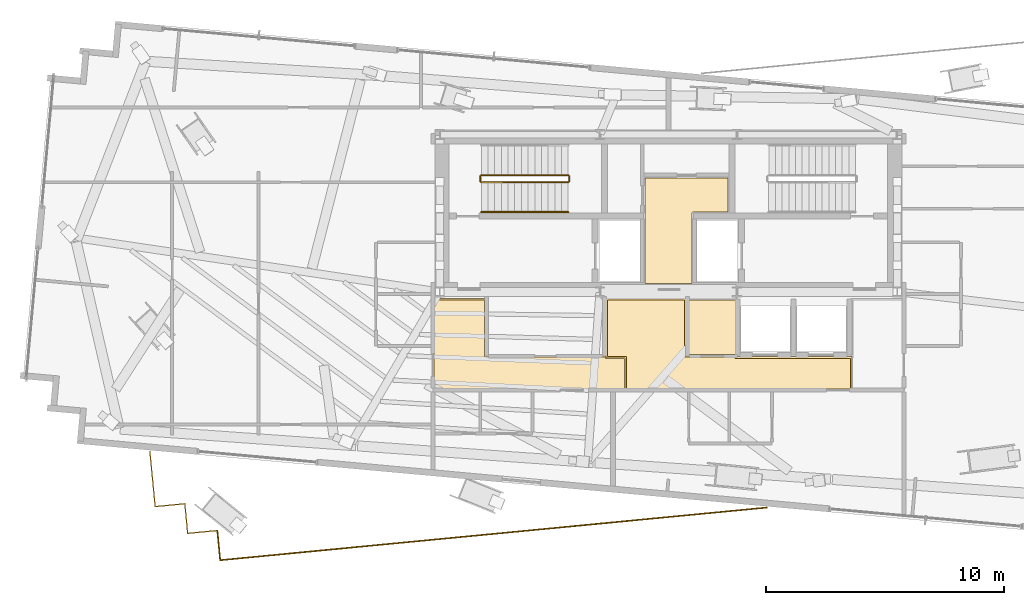
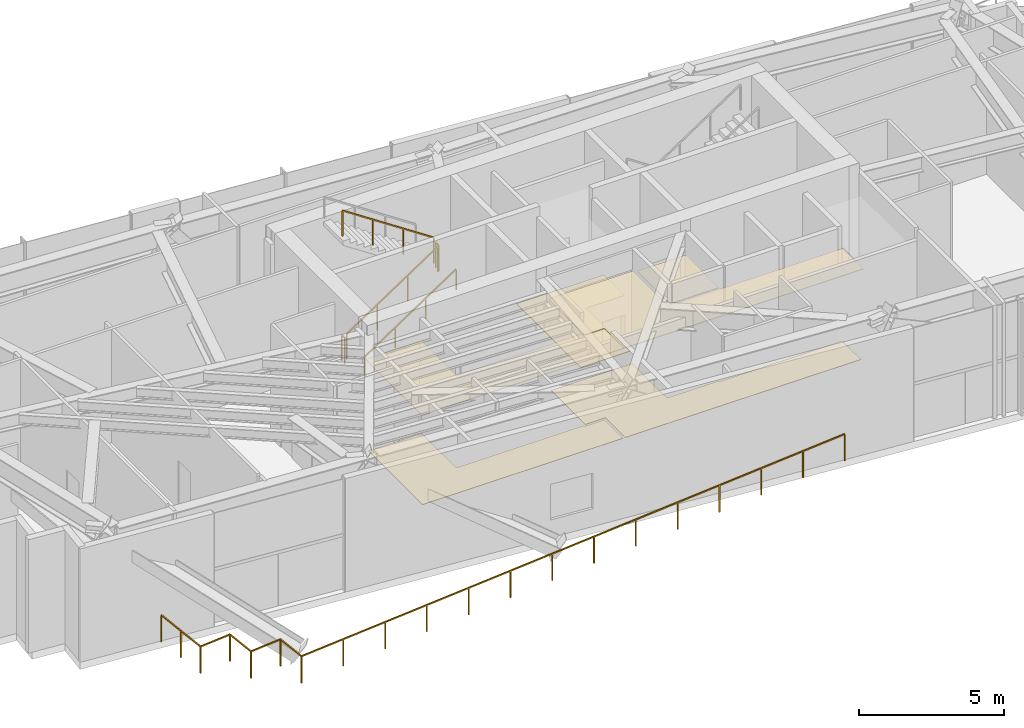
# One storey, part 17 of 20: 7 railings, 6 coverings.
"""IFC4 building model written with IfcOpenShell, lengths in metres."""

import ifcopenshell
import ifcopenshell.guid

model = None  # the IFC model being written
_history = None  # IfcOwnerHistory: only IFC2X3 demands one
_inside = {}  # id of a spatial element -> (the spatial element, [elements in it])
_under = {}  # id of a project, library or spatial element -> (it, [spatial elements below it])
_declared = {}  # id of a project -> (the project, [libraries it declares])
_typed = {}  # id of a type object -> (the type object, [elements of that type])
_made_of = {}  # id of a material, layer set ... -> (it, [elements and type objects made of it])


def new_model(schema):
    """Start an empty IFC model of exactly this schema.

    Asked for "IFC4X3", IfcOpenShell would pick the latest addendum, in which some entities
    have other attributes; the version numbers below select the first issue.
    IFC2X3 requires an IfcOwnerHistory on every rooted entity: one is made here for all.
    """
    global model, _history
    if schema == "IFC4X3":
        model = ifcopenshell.file(schema_version=(4, 3, 0, 0))
    else:
        model = ifcopenshell.file(schema=schema)
    _inside.clear()
    _under.clear()
    _declared.clear()
    _typed.clear()
    _made_of.clear()
    _history = None
    if model.schema == "IFC2X3":
        org = make("IfcOrganization", Name="unknown")
        user = make(
            "IfcPersonAndOrganization",
            ThePerson=make("IfcPerson", FamilyName="unknown"),
            TheOrganization=org,
        )
        app = make(
            "IfcApplication",
            ApplicationDeveloper=org,
            Version="unknown",
            ApplicationFullName="unknown",
            ApplicationIdentifier="unknown",
        )
        _history = make(
            "IfcOwnerHistory",
            OwningUser=user,
            OwningApplication=app,
            ChangeAction="ADDED",
            CreationDate=0,
        )
    return model


def make(cls, **values):
    """One entity of the class cls with the attributes given. An attribute that is None is left unset."""
    return model.create_entity(
        cls, **{name: value for name, value in values.items() if value is not None}
    )


def rooted(cls, **values):
    """An entity with a GlobalId (a new one), such as an element, a storey or a relation."""
    return make(cls, GlobalId=ifcopenshell.guid.new(), OwnerHistory=_history, **values)


def si_unit(unit_type, name, prefix=None):
    """IfcSIUnit, for example si_unit("LENGTHUNIT", "METRE", prefix="MILLI")."""
    return make("IfcSIUnit", UnitType=unit_type, Prefix=prefix, Name=name)


def assignment(units):
    """IfcUnitAssignment: the units of a project."""
    return None if units is None else make("IfcUnitAssignment", Units=units)


def point(xyz):
    """IfcCartesianPoint."""
    return None if xyz is None else make("IfcCartesianPoint", Coordinates=xyz)


def direction(xyz):
    """IfcDirection."""
    return None if xyz is None else make("IfcDirection", DirectionRatios=xyz)


def frame(location, z_axis=None, x_axis=None):
    """IfcAxis2Placement3D, a coordinate frame: its origin and axes. An axis left out is left unset."""
    return make(
        "IfcAxis2Placement3D",
        Location=point(location),
        Axis=direction(z_axis),
        RefDirection=direction(x_axis),
    )


def frame_2d(location, x_axis=None):
    """IfcAxis2Placement2D, a coordinate frame in the plane: its origin and x axis."""
    return make(
        "IfcAxis2Placement2D", Location=point(location), RefDirection=direction(x_axis)
    )


def origin():
    """The frame at (0, 0, 0) with its axes left unset."""
    return frame((0.0, 0.0, 0.0))


def origin_2d():
    """The frame at (0, 0) in the plane with its x axis left unset."""
    return frame_2d((0.0, 0.0))


def place(relative_to, where):
    """IfcLocalPlacement: puts the frame where relative to a parent placement (None: the world)."""
    return make(
        "IfcLocalPlacement", PlacementRelTo=relative_to, RelativePlacement=where
    )


def context(
    kind, dimensions, precision=None, world=None, true_north=None, identifier=None
):
    """IfcGeometricRepresentationContext, for example the 3D "Model" context."""
    return make(
        "IfcGeometricRepresentationContext",
        ContextIdentifier=identifier,
        ContextType=kind,
        CoordinateSpaceDimension=dimensions,
        Precision=precision,
        WorldCoordinateSystem=world,
        TrueNorth=true_north,
    )


def subcontext(parent, identifier, kind, view, scale=None):
    """IfcGeometricRepresentationSubContext, for example "Body" below "Model"."""
    return make(
        "IfcGeometricRepresentationSubContext",
        ContextIdentifier=identifier,
        ContextType=kind,
        ParentContext=parent,
        TargetScale=scale,
        TargetView=view,
    )


def project(units=None, contexts=None):
    """IfcProject with its units and contexts."""
    return rooted(
        "IfcProject",
        Name="project",
        RepresentationContexts=contexts,
        UnitsInContext=assignment(units),
    )


def spatial(cls, under=None, at=None, **own):
    """A site, building, storey or space (cls), placed at a placement, below another one or the project."""
    s = rooted(cls, ObjectPlacement=at, **own)
    if under is not None:
        _under.setdefault(under.id(), (under, []))[1].append(s)
    return s


def polyline(points):
    """IfcPolyline through the points."""
    return make("IfcPolyline", Points=[point(p) for p in points])


def profile(cls, at=None, kind="AREA", **sizes):
    """A parametric profile (cls). Its sizes go by their IFC names, for example OverallWidth=200.0."""
    return make(cls, ProfileType=kind, Position=at, **sizes)


def rectangle(**sizes):
    """IfcRectangleProfileDef."""
    return profile("IfcRectangleProfileDef", **sizes)


def outline(outer, holes=None, kind="AREA"):
    """IfcArbitraryClosedProfileDef: a profile drawn as a closed curve; with holes, ...WithVoids."""
    if holes is None:
        return make("IfcArbitraryClosedProfileDef", ProfileType=kind, OuterCurve=outer)
    return make(
        "IfcArbitraryProfileDefWithVoids",
        ProfileType=kind,
        OuterCurve=outer,
        InnerCurves=holes,
    )


def extrude(swept, where, along, depth):
    """IfcExtrudedAreaSolid: the profile swept, set in the frame where, extruded along a direction by depth."""
    return make(
        "IfcExtrudedAreaSolid",
        SweptArea=swept,
        Position=where,
        ExtrudedDirection=direction(along),
        Depth=depth,
    )


def shape(context_of_items, identifier, shape_type, items):
    """IfcShapeRepresentation: the items that make up one representation, for example the "Body"."""
    return make(
        "IfcShapeRepresentation",
        ContextOfItems=context_of_items,
        RepresentationIdentifier=identifier,
        RepresentationType=shape_type,
        Items=items,
    )


def source(mapping_origin, context_of_items, identifier, shape_type, items):
    """IfcRepresentationMap: a shape defined once, which mapped items show again and again."""
    return make(
        "IfcRepresentationMap",
        MappingOrigin=mapping_origin,
        MappedRepresentation=shape(context_of_items, identifier, shape_type, items),
    )


def transform(
    local_origin,
    x_axis=None,
    y_axis=None,
    z_axis=None,
    scale=None,
    scale2=None,
    scale3=None,
    uniform=True,
):
    """IfcCartesianTransformationOperator3D, or its non-uniform kind. x_axis, y_axis, z_axis: its Axis1, 2, 3."""
    if uniform:
        return make(
            "IfcCartesianTransformationOperator3D",
            Axis1=direction(x_axis),
            Axis2=direction(y_axis),
            LocalOrigin=point(local_origin),
            Scale=scale,
            Axis3=direction(z_axis),
        )
    return make(
        "IfcCartesianTransformationOperator3DnonUniform",
        Axis1=direction(x_axis),
        Axis2=direction(y_axis),
        LocalOrigin=point(local_origin),
        Scale=scale,
        Axis3=direction(z_axis),
        Scale2=scale2,
        Scale3=scale3,
    )


def mapped(mapping_source, mapping_target):
    """IfcMappedItem: shows the shape of a source again, moved by a transform."""
    return make(
        "IfcMappedItem", MappingSource=mapping_source, MappingTarget=mapping_target
    )


def material(Name=None, Category=None):
    """IfcMaterial."""
    return make("IfcMaterial", Name=Name, Category=Category)


def layer(
    of_material, thickness, ventilated=None, Name=None, Category=None, Priority=None
):
    """IfcMaterialLayer: one layer of a wall or slab, of a material (None: an air gap)."""
    return make(
        "IfcMaterialLayer",
        Material=of_material,
        LayerThickness=thickness,
        IsVentilated=ventilated,
        Name=Name,
        Category=Category,
        Priority=Priority,
    )


def layer_set(layers, Name=None):
    """IfcMaterialLayerSet."""
    return make("IfcMaterialLayerSet", MaterialLayers=layers, LayerSetName=Name)


def made_of(thing, what):
    """Note that an element or type object is made of a material, layer set ...; save() writes the relation."""
    if what is not None:
        _made_of.setdefault(what.id(), (what, []))[1].append(thing)
    return thing


def type_object(cls, material=None, **own):
    """A type object (cls), such as IfcWallType, which elements share."""
    return made_of(rooted(cls, **own), material)


def type_shapes(of_type, sources):
    """Give a type object the sources (RepresentationMaps) that its elements show as mapped items."""
    of_type.RepresentationMaps = sources


def element(
    cls,
    number,
    at=None,
    inside=None,
    cuts=None,
    type_object=None,
    material=None,
    context=None,
    identifier="Body",
    shape_type=None,
    held_by="IfcProductDefinitionShape",
    body=None,
    shapes=None,
    **own,
):
    """One element of the class cls, such as IfcWall. Its Tag is "e" and its number.

    at: its placement. inside: the storey or other place that contains it. cuts: it is an
    opening in that element (IfcRelVoidsElement). A single representation is given by context,
    identifier, shape_type and body (its items); several are given by shapes. held_by: the class
    of the entity that holds the representations. save() writes the other relations.
    """
    e = rooted(cls, Tag="e%d" % number, ObjectPlacement=at, **own)
    if body is not None:
        shapes = [shape(context, identifier, shape_type, body)]
    if shapes is not None:
        e.Representation = make(held_by, Representations=shapes)
    if inside is not None:
        _inside.setdefault(inside.id(), (inside, []))[1].append(e)
    if cuts is not None:
        rooted(
            "IfcRelVoidsElement", RelatingBuildingElement=cuts, RelatedOpeningElement=e
        )
    if type_object is not None:
        _typed.setdefault(type_object.id(), (type_object, []))[1].append(e)
    return made_of(e, material)


def aggregate(whole, parts):
    """IfcRelAggregates: a whole, such as a stair, and the parts it consists of."""
    return rooted("IfcRelAggregates", RelatingObject=whole, RelatedObjects=parts)


def save(model, path):
    """Write the relations noted so far, then the file.

    IfcRelAggregates (storeys below a building ...), IfcRelContainedInSpatialStructure (elements
    in a storey), IfcRelDefinesByType, IfcRelAssociatesMaterial and IfcRelDeclares: one each for
    every whole, place, type object, material and project.
    """
    for whole, parts in _under.values():
        aggregate(whole, parts)
    for where, things in _inside.values():
        rooted(
            "IfcRelContainedInSpatialStructure",
            RelatedElements=things,
            RelatingStructure=where,
        )
    for kind, things in _typed.values():
        rooted("IfcRelDefinesByType", RelatedObjects=things, RelatingType=kind)
    for what, things in _made_of.values():
        rooted("IfcRelAssociatesMaterial", RelatedObjects=things, RelatingMaterial=what)
    for by, libraries in _declared.values():
        rooted("IfcRelDeclares", RelatingContext=by, RelatedDefinitions=libraries)
    model.write(path)


model = new_model("IFC4")

# Units and contexts
model_context = context("Model", 3, precision=1e-05, world=origin(), true_north=direction((0.0, 1.0)))
body_context = subcontext(model_context, "Body", "Model", "MODEL_VIEW")
ifc_project = project(units=[si_unit("LENGTHUNIT", "METRE"), si_unit("AREAUNIT", "SQUARE_METRE"), si_unit("VOLUMEUNIT", "CUBIC_METRE"), si_unit("PLANEANGLEUNIT", "RADIAN"), si_unit("MASSUNIT", "GRAM", prefix="KILO")], contexts=[model_context])

# Site, building, storey
site_placement = place(None, origin())
site = spatial("IfcSite", under=ifc_project, at=site_placement, CompositionType="ELEMENT")
building_placement = place(site_placement, origin())
building = spatial("IfcBuilding", under=site, at=building_placement, Name="Astriad Promenade Condominiums", CompositionType="ELEMENT")
storey_placement = place(building_placement, frame((0.0, 0.0, 211.39990234375)))
storey = spatial("IfcBuildingStorey", under=building, at=storey_placement, Name="L61", CompositionType="ELEMENT", Elevation=211.39990234375)

# Coverings
ifc_material_1 = material(Name="Mineral-Fibre Acoustic Ceiling Tile")
ifc_layer_1 = layer(ifc_material_1, 0.02490234375)
ifc_layer_set_1 = layer_set([ifc_layer_1], Name="Mineral-Fibre Acoustic Ceiling Tile")
covering_type_1 = type_object("IfcCoveringType", Name="COV-CEIL-ACOUSTIC-25", PredefinedType="CEILING", material=ifc_layer_set_1)
covering_1_placement = place(storey_placement, frame((0.0, 0.0, 3.835205078125)))
element("IfcCovering", 1, at=covering_1_placement, inside=storey, type_object=covering_type_1, Name="CEIL-L61-LLB", PredefinedType="CEILING", context=body_context, shape_type="SweptSolid", body=[
    extrude(outline(polyline([(43.7099609375, 13.277099609375), (43.70947265625, 13.274169921875), (43.708740234375, 13.271240234375), (43.707763671875, 13.2685546875), (43.70654296875, 13.265869140625), (43.704833984375, 13.26318359375), (43.703125, 13.260986328125), (43.701171875, 13.2587890625), (43.698974609375, 13.2568359375), (43.69677734375, 13.255126953125), (43.694091796875, 13.25341796875), (43.69140625, 13.252197265625), (43.688720703125, 13.251220703125), (43.685791015625, 13.25048828125), (43.682861328125, 13.25), (43.679931640625, 13.25), (34.199951171875, 13.25), (34.197021484375, 13.25), (34.194091796875, 13.25048828125), (34.19140625, 13.251220703125), (34.1884765625, 13.252197265625), (34.185791015625, 13.25341796875), (34.183349609375, 13.255126953125), (34.180908203125, 13.2568359375), (34.1787109375, 13.2587890625), (34.1767578125, 13.260986328125), (34.175048828125, 13.26318359375), (34.173583984375, 13.265869140625), (34.17236328125, 13.2685546875), (34.17138671875, 13.271240234375), (34.170654296875, 13.274169921875), (34.170166015625, 13.277099609375), (34.169921875, 13.280029296875), (34.169921875, 14.6201171875), (33.39990234375, 14.6201171875), (33.397216796875, 14.6201171875), (33.39404296875, 14.62060546875), (33.391357421875, 14.621337890625), (33.388427734375, 14.622314453125), (33.385986328125, 14.62353515625), (33.38330078125, 14.625), (33.381103515625, 14.626708984375), (33.37890625, 14.62890625), (33.376708984375, 14.631103515625), (33.375, 14.63330078125), (33.37353515625, 14.635986328125), (33.372314453125, 14.638427734375), (33.371337890625, 14.641357421875), (33.37060546875, 14.64404296875), (33.3701171875, 14.647216796875), (33.3701171875, 14.64990234375), (33.3701171875, 17.10009765625), (33.3701171875, 17.102783203125), (33.37060546875, 17.10595703125), (33.371337890625, 17.108642578125), (33.372314453125, 17.111572265625), (33.37353515625, 17.114013671875), (33.375, 17.11669921875), (33.376708984375, 17.118896484375), (33.37890625, 17.12109375), (33.380126953125, 17.122314453125), (33.3896484375, 17.122314453125), (33.3896484375, 17.128173828125), (33.391357421875, 17.128662109375), (33.39404296875, 17.12939453125), (33.397216796875, 17.1298828125), (33.39990234375, 17.1298828125), (36.719970703125, 17.1298828125), (36.722900390625, 17.1298828125), (36.725830078125, 17.12939453125), (36.728759765625, 17.128662109375), (36.7314453125, 17.127685546875), (36.734130859375, 17.12646484375), (36.73681640625, 17.125), (36.739013671875, 17.123291015625), (36.7412109375, 17.12109375), (36.7431640625, 17.118896484375), (36.744873046875, 17.11669921875), (36.74658203125, 17.114013671875), (36.747802734375, 17.111572265625), (36.748779296875, 17.108642578125), (36.74951171875, 17.10595703125), (36.75, 17.102783203125), (36.75, 17.10009765625), (36.75, 14.72998046875), (38.800048828125, 14.72998046875), (38.802978515625, 14.72998046875), (38.805908203125, 14.7294921875), (38.80859375, 14.728759765625), (38.8115234375, 14.727783203125), (38.814208984375, 14.7265625), (38.816650390625, 14.724853515625), (38.819091796875, 14.72314453125), (38.8212890625, 14.72119140625), (38.8232421875, 14.718994140625), (38.824951171875, 14.716796875), (38.826416015625, 14.714111328125), (38.82763671875, 14.71142578125), (38.82861328125, 14.708740234375), (38.829345703125, 14.705810546875), (38.829833984375, 14.702880859375), (38.830078125, 14.699951171875), (38.830078125, 14.679931640625), (43.679931640625, 14.679931640625), (43.682861328125, 14.679931640625), (43.685791015625, 14.679443359375), (43.688720703125, 14.6787109375), (43.69140625, 14.677734375), (43.694091796875, 14.676513671875), (43.69677734375, 14.6748046875), (43.698974609375, 14.673095703125), (43.701171875, 14.671142578125), (43.703125, 14.6689453125), (43.704833984375, 14.666748046875), (43.70654296875, 14.6640625), (43.707763671875, 14.66162109375), (43.708740234375, 14.65869140625), (43.70947265625, 14.656005859375), (43.7099609375, 14.65283203125), (43.7099609375, 14.64990234375), (43.7099609375, 13.280029296875), (43.7099609375, 13.277099609375)])), origin(), (0.0, 0.0, 1.0), 0.02490234375),
])
covering_2_placement = place(storey_placement, frame((0.0, 0.0, 3.835205078125)))
element("IfcCovering", 2, at=covering_2_placement, inside=storey, type_object=covering_type_1, Name="CEIL-L61-COR-2", PredefinedType="CEILING", context=body_context, shape_type="SweptSolid", body=[
    extrude(outline(polyline([(26.090576171875, 17.10595703125), (26.09130859375, 17.108642578125), (26.09228515625, 17.111572265625), (26.093505859375, 17.114013671875), (26.09521484375, 17.11669921875), (26.0966796875, 17.118896484375), (26.098876953125, 17.12109375), (26.10107421875, 17.123291015625), (26.103271484375, 17.125), (26.10595703125, 17.12646484375), (26.1083984375, 17.127685546875), (26.111328125, 17.128662109375), (26.114013671875, 17.12939453125), (26.1171875, 17.1298828125), (26.1201171875, 17.1298828125), (26.13037109375, 17.1298828125), (26.13037109375, 17.122314453125), (26.669677734375, 17.122314453125), (26.669677734375, 17.1298828125), (28.320068359375, 17.1298828125), (28.322998046875, 17.1298828125), (28.325927734375, 17.12939453125), (28.32861328125, 17.128662109375), (28.33154296875, 17.127685546875), (28.333984375, 17.12646484375), (28.336669921875, 17.125), (28.339111328125, 17.123291015625), (28.34130859375, 17.12109375), (28.34326171875, 17.118896484375), (28.344970703125, 17.11669921875), (28.346435546875, 17.114013671875), (28.34765625, 17.111572265625), (28.3486328125, 17.108642578125), (28.349365234375, 17.10595703125), (28.349853515625, 17.102783203125), (28.35009765625, 17.10009765625), (28.35009765625, 14.72998046875), (33.35009765625, 14.72998046875), (33.35009765625, 14.64990234375), (33.35009765625, 14.64892578125), (33.35009765625, 14.64599609375), (33.350341796875, 14.64404296875), (33.350830078125, 14.64111328125), (33.351318359375, 14.639404296875), (33.351806640625, 14.636474609375), (33.3525390625, 14.634521484375), (33.353515625, 14.6318359375), (33.354248046875, 14.6298828125), (33.35546875, 14.627197265625), (33.3564453125, 14.62548828125), (33.35791015625, 14.623046875), (33.35888671875, 14.621337890625), (33.360595703125, 14.619140625), (33.362060546875, 14.617431640625), (33.364013671875, 14.615478515625), (33.365478515625, 14.614013671875), (33.367431640625, 14.612060546875), (33.369140625, 14.610595703125), (33.371337890625, 14.60888671875), (33.373046875, 14.60791015625), (33.37548828125, 14.6064453125), (33.377197265625, 14.60546875), (33.3798828125, 14.604248046875), (33.3818359375, 14.603515625), (33.384521484375, 14.6025390625), (33.386474609375, 14.601806640625), (33.389404296875, 14.601318359375), (33.39111328125, 14.600830078125), (33.39404296875, 14.600341796875), (33.39599609375, 14.60009765625), (33.39892578125, 14.60009765625), (33.39990234375, 14.60009765625), (34.14990234375, 14.60009765625), (34.14990234375, 13.280029296875), (34.14990234375, 13.279052734375), (34.150146484375, 13.276123046875), (34.150390625, 13.274169921875), (34.15087890625, 13.271240234375), (34.151123046875, 13.269287109375), (34.15185546875, 13.266357421875), (34.152587890625, 13.2646484375), (34.153564453125, 13.26171875), (34.154296875, 13.260009765625), (34.155517578125, 13.25732421875), (34.156494140625, 13.255615234375), (34.157958984375, 13.253173828125), (34.158935546875, 13.25146484375), (34.159912109375, 13.25), (26.1201171875, 13.25), (26.1171875, 13.25), (26.114013671875, 13.25048828125), (26.111328125, 13.251220703125), (26.1083984375, 13.252197265625), (26.10595703125, 13.25341796875), (26.103271484375, 13.255126953125), (26.10107421875, 13.2568359375), (26.098876953125, 13.2587890625), (26.0966796875, 13.260986328125), (26.09521484375, 13.26318359375), (26.093505859375, 13.265869140625), (26.09228515625, 13.2685546875), (26.09130859375, 13.271240234375), (26.090576171875, 13.274169921875), (26.090087890625, 13.277099609375), (26.090087890625, 13.280029296875), (26.090087890625, 17.10009765625), (26.090087890625, 17.102783203125), (26.090576171875, 17.10595703125)])), origin(), (0.0, 0.0, 1.0), 0.02490234375),
])
covering_3_placement = place(storey_placement, frame((0.0, 0.0, 3.835205078125)))
element("IfcCovering", 3, at=covering_3_placement, inside=storey, type_object=covering_type_1, Name="CEIL-L61-Z3N", PredefinedType="CEILING", context=body_context, shape_type="SweptSolid", body=[
    extrude(outline(polyline([(36.89990234375, 14.77001953125), (36.897216796875, 14.77001953125), (36.89404296875, 14.7705078125), (36.891357421875, 14.771240234375), (36.888427734375, 14.772216796875), (36.885986328125, 14.7734375), (36.88330078125, 14.775146484375), (36.881103515625, 14.77685546875), (36.87890625, 14.77880859375), (36.876708984375, 14.781005859375), (36.875, 14.783203125), (36.87353515625, 14.785888671875), (36.872314453125, 14.78857421875), (36.871337890625, 14.791259765625), (36.87060546875, 14.794189453125), (36.8701171875, 14.797119140625), (36.8701171875, 14.800048828125), (36.8701171875, 17.02001953125), (36.8701171875, 17.02294921875), (36.87060546875, 17.02587890625), (36.871337890625, 17.02880859375), (36.872314453125, 17.031494140625), (36.87353515625, 17.0341796875), (36.875, 17.03662109375), (36.876708984375, 17.0390625), (36.87890625, 17.041259765625), (36.881103515625, 17.043212890625), (36.88330078125, 17.044921875), (36.885986328125, 17.04638671875), (36.888427734375, 17.047607421875), (36.891357421875, 17.048583984375), (36.89404296875, 17.04931640625), (36.897216796875, 17.0498046875), (36.89990234375, 17.050048828125), (38.780029296875, 17.050048828125), (38.782958984375, 17.0498046875), (38.785888671875, 17.04931640625), (38.788818359375, 17.048583984375), (38.79150390625, 17.047607421875), (38.794189453125, 17.04638671875), (38.796630859375, 17.044921875), (38.799072265625, 17.043212890625), (38.80126953125, 17.041259765625), (38.80322265625, 17.0390625), (38.804931640625, 17.03662109375), (38.806396484375, 17.0341796875), (38.8076171875, 17.031494140625), (38.80859375, 17.02880859375), (38.809326171875, 17.02587890625), (38.809814453125, 17.02294921875), (38.81005859375, 17.02001953125), (38.81005859375, 14.800048828125), (38.809814453125, 14.797119140625), (38.809326171875, 14.794189453125), (38.80859375, 14.791259765625), (38.8076171875, 14.78857421875), (38.806396484375, 14.785888671875), (38.804931640625, 14.783203125), (38.80322265625, 14.781005859375), (38.80126953125, 14.77880859375), (38.799072265625, 14.77685546875), (38.796630859375, 14.775146484375), (38.794189453125, 14.7734375), (38.79150390625, 14.772216796875), (38.788818359375, 14.771240234375), (38.785888671875, 14.7705078125), (38.782958984375, 14.77001953125), (38.780029296875, 14.77001953125), (36.89990234375, 14.77001953125)])), origin(), (0.0, 0.0, 1.0), 0.02490234375),
])
ifc_material_2 = material(Name="Polished Lakefront Terrazzo Flooring")
ifc_layer_2 = layer(ifc_material_2, 0.02001953125)
ifc_layer_set_2 = layer_set([ifc_layer_2], Name="Polished Lakefront Terrazzo Flooring")
covering_type_2 = type_object("IfcCoveringType", Name="COV-FLOR-TERRAZZO-20", PredefinedType="FLOORING", material=ifc_layer_set_2)
covering_4_placement = place(storey_placement, origin())
element("IfcCovering", 4, at=covering_4_placement, inside=storey, type_object=covering_type_2, Name="FLR-L61-CSL", PredefinedType="FLOORING", context=body_context, shape_type="SweptSolid", body=[
    extrude(outline(polyline([(36.97998046875, 20.699951171875), (36.97998046875, 17.739990234375), (35.02001953125, 17.739990234375), (35.02001953125, 22.179931640625), (38.5, 22.179931640625), (38.5, 20.739990234375), (37.02001953125, 20.739990234375), (37.01611328125, 20.73974609375), (37.01220703125, 20.7392578125), (37.00830078125, 20.73828125), (37.004638671875, 20.737060546875), (37.001220703125, 20.7353515625), (36.997802734375, 20.7333984375), (36.99462890625, 20.73095703125), (36.99169921875, 20.728271484375), (36.989013671875, 20.725341796875), (36.98681640625, 20.72216796875), (36.984619140625, 20.718994140625), (36.98291015625, 20.71533203125), (36.981689453125, 20.711669921875), (36.980712890625, 20.707763671875), (36.980224609375, 20.703857421875), (36.97998046875, 20.699951171875)])), origin(), (0.0, 0.0, 1.0), 0.02001953125),
])
covering_5_placement = place(storey_placement, origin())
element("IfcCovering", 5, at=covering_5_placement, inside=storey, type_object=covering_type_2, Name="FLR-L61-LLB", PredefinedType="FLOORING", context=body_context, shape_type="SweptSolid", body=[
    extrude(outline(polyline([(43.639892578125, 14.610107421875), (43.639892578125, 13.320068359375), (34.239990234375, 13.320068359375), (34.239990234375, 14.64990234375), (34.23974609375, 14.65380859375), (34.2392578125, 14.65771484375), (34.23828125, 14.66162109375), (34.237060546875, 14.665283203125), (34.2353515625, 14.6689453125), (34.2333984375, 14.672119140625), (34.23095703125, 14.67529296875), (34.228271484375, 14.67822265625), (34.225341796875, 14.680908203125), (34.22216796875, 14.683349609375), (34.218994140625, 14.685302734375), (34.21533203125, 14.68701171875), (34.211669921875, 14.688232421875), (34.207763671875, 14.689208984375), (34.203857421875, 14.689697265625), (34.199951171875, 14.68994140625), (33.43994140625, 14.68994140625), (33.43994140625, 17.06005859375), (36.679931640625, 17.06005859375), (36.679931640625, 14.699951171875), (36.68017578125, 14.696044921875), (36.680908203125, 14.692138671875), (36.681640625, 14.6884765625), (36.68310546875, 14.684814453125), (36.684814453125, 14.68115234375), (36.686767578125, 14.677734375), (36.689208984375, 14.674560546875), (36.691650390625, 14.671630859375), (36.694580078125, 14.669189453125), (36.69775390625, 14.666748046875), (36.701171875, 14.664794921875), (36.70458984375, 14.6630859375), (36.70849609375, 14.66162109375), (36.712158203125, 14.660888671875), (36.716064453125, 14.66015625), (36.719970703125, 14.659912109375), (38.760009765625, 14.659912109375), (38.760009765625, 14.64990234375), (38.76025390625, 14.64599609375), (38.7607421875, 14.64208984375), (38.76171875, 14.638427734375), (38.762939453125, 14.634765625), (38.7646484375, 14.631103515625), (38.7666015625, 14.627685546875), (38.76904296875, 14.62451171875), (38.771728515625, 14.62158203125), (38.774658203125, 14.619140625), (38.77783203125, 14.61669921875), (38.781005859375, 14.61474609375), (38.78466796875, 14.613037109375), (38.788330078125, 14.61181640625), (38.792236328125, 14.61083984375), (38.796142578125, 14.610107421875), (38.800048828125, 14.610107421875), (43.639892578125, 14.610107421875)])), origin(), (0.0, 0.0, 1.0), 0.02001953125),
])
covering_6_placement = place(storey_placement, origin())
element("IfcCovering", 6, at=covering_6_placement, inside=storey, type_object=covering_type_2, Name="FLR-L61-COR-2", PredefinedType="FLOORING", context=body_context, shape_type="SweptSolid", body=[
    extrude(outline(polyline([(26.159912109375, 13.320068359375), (26.159912109375, 17.06005859375), (28.280029296875, 17.06005859375), (28.280029296875, 14.699951171875), (28.2802734375, 14.696044921875), (28.28076171875, 14.692138671875), (28.28173828125, 14.6884765625), (28.282958984375, 14.684814453125), (28.28466796875, 14.68115234375), (28.28662109375, 14.677734375), (28.2890625, 14.674560546875), (28.291748046875, 14.671630859375), (28.294677734375, 14.669189453125), (28.2978515625, 14.666748046875), (28.301025390625, 14.664794921875), (28.3046875, 14.6630859375), (28.308349609375, 14.66162109375), (28.312255859375, 14.660888671875), (28.316162109375, 14.66015625), (28.320068359375, 14.659912109375), (33.35009765625, 14.659912109375), (33.35009765625, 14.64892578125), (33.35009765625, 14.64501953125), (33.350830078125, 14.64111328125), (33.35107421875, 14.64013671875), (33.351318359375, 14.639404296875), (33.351318359375, 14.638427734375), (33.352294921875, 14.634521484375), (33.353759765625, 14.630859375), (33.3544921875, 14.629150390625), (33.356201171875, 14.6259765625), (33.356689453125, 14.625), (33.35888671875, 14.62158203125), (33.3603515625, 14.61962890625), (33.36083984375, 14.618896484375), (33.361083984375, 14.61865234375), (33.361328125, 14.618408203125), (33.361572265625, 14.617919921875), (33.36328125, 14.615966796875), (33.365966796875, 14.61328125), (33.367919921875, 14.611572265625), (33.368408203125, 14.611328125), (33.36865234375, 14.611083984375), (33.368896484375, 14.61083984375), (33.36962890625, 14.6103515625), (33.37158203125, 14.60888671875), (33.375, 14.606689453125), (33.3759765625, 14.606201171875), (33.379150390625, 14.6044921875), (33.3798828125, 14.604248046875), (33.380859375, 14.603759765625), (33.384521484375, 14.602294921875), (33.388427734375, 14.601318359375), (33.389404296875, 14.601318359375), (33.39013671875, 14.60107421875), (33.39111328125, 14.600830078125), (33.39501953125, 14.60009765625), (33.39892578125, 14.60009765625), (34.14990234375, 14.60009765625), (34.14990234375, 13.320068359375), (26.159912109375, 13.320068359375)])), origin(), (0.0, 0.0, 1.0), 0.02001953125),
])

# Railings
ifc_material_3 = material(Name="Anodised Aluminium and Glass Terrace Guardrail", Category="aluminium")
railing_type_1 = type_object("IfcRailingType", Name="GRD-TERR-1150", PredefinedType="GUARDRAIL", material=ifc_material_3)
shared_shape_1 = source(origin(), body_context, "Body", "SweptSolid", [
    extrude(rectangle(XDim=0.048095703125, YDim=0.048095703125, at=origin_2d()), frame((0.0, 0.0, 1.1259765625), z_axis=(-0.995392196914, -0.095887300115, 0.0), x_axis=(0.095887300115, -0.995392196914, 0.0)), (0.0, 0.0, 1.0), 1.250244140625),
    extrude(rectangle(XDim=0.048095703125, YDim=0.048095703125, at=origin_2d()), frame((-1.244384765625, -0.119873046875, 1.1259765625), z_axis=(-0.095693800434, 0.995410817983, 0.0), x_axis=(-0.995410817983, -0.095693800434, 0.0)), (0.0, 0.0, 1.0), 1.25),
    extrude(rectangle(XDim=0.048095703125, YDim=0.048095703125, at=origin_2d()), frame((-1.364013671875, 1.12451171875, 1.1259765625), z_axis=(-0.995390400822, -0.09590594325, 0.0), x_axis=(0.09590594325, -0.995390400822, 0.0)), (0.0, 0.0, 1.0), 1.25),
    extrude(rectangle(XDim=0.048095703125, YDim=0.048095703125, at=origin_2d()), frame((-2.608154296875, 1.004638671875, 1.1259765625), z_axis=(-0.095918369215, 0.995389203501, 0.0), x_axis=(-0.995389203501, -0.095918369215, 0.0)), (0.0, 0.0, 1.0), 2.326416015625),
    extrude(rectangle(XDim=0.0419921875, YDim=0.0419921875, at=origin_2d()), origin(), (0.0, 0.0, 1.0), 1.101806640625),
    extrude(rectangle(XDim=0.0419921875, YDim=0.0419921875, at=origin_2d()), frame((-1.244384765625, -0.119873046875, 0.0)), (0.0, 0.0, 1.0), 1.101806640625),
    extrude(rectangle(XDim=0.0419921875, YDim=0.0419921875, at=origin_2d()), frame((-1.364013671875, 1.12451171875, 0.0)), (0.0, 0.0, 1.0), 1.101806640625),
    extrude(rectangle(XDim=0.0419921875, YDim=0.0419921875, at=origin_2d()), frame((-2.608154296875, 1.004638671875, 0.0)), (0.0, 0.0, 1.0), 1.101806640625),
    extrude(rectangle(XDim=0.0419921875, YDim=0.0419921875, at=origin_2d()), frame((-2.7197265625, 2.16259765625, 0.0)), (0.0, 0.0, 1.0), 1.101806640625),
    extrude(rectangle(XDim=0.0419921875, YDim=0.0419921875, at=origin_2d()), frame((-2.831298828125, 3.3203125, 0.0)), (0.0, 0.0, 1.0), 1.101806640625),
])
railing_1_placement = place(storey_placement, frame((17.06787109375, 7.382080078125, 0.0)))
element("IfcRailing", 7, at=railing_1_placement, inside=storey, type_object=railing_type_1, Name="GRD-TSTEP-L61-01", PredefinedType="GUARDRAIL", context=body_context, shape_type="MappedRepresentation", body=[
    mapped(shared_shape_1, transform((0.0, 0.0, 0.0), scale=1.0)),
])
shared_shape_2 = source(origin(), body_context, "Body", "SweptSolid", [
    extrude(rectangle(XDim=0.048095703125, YDim=0.048095703125, at=origin_2d()), frame((0.0, 0.0, 1.1259765625), z_axis=(-0.995396363636, -0.095844036121, 0.0), x_axis=(0.095844036121, -0.995396363636, 0.0)), (0.0, 0.0, 1.0), 23.042724609375),
    extrude(rectangle(XDim=0.048095703125, YDim=0.048095703125, at=origin_2d()), frame((-22.9365234375, -2.20849609375, 1.1259765625), z_axis=(-0.09590594325, 0.995390400822, 0.0), x_axis=(-0.995390400822, -0.09590594325, 0.0)), (0.0, 0.0, 1.0), 1.25),
    extrude(rectangle(XDim=0.0419921875, YDim=0.0419921875, at=origin_2d()), origin(), (0.0, 0.0, 1.0), 1.101806640625),
    extrude(rectangle(XDim=0.0419921875, YDim=0.0419921875, at=origin_2d()), frame((-1.764404296875, -0.169921875, 0.0)), (0.0, 0.0, 1.0), 1.101806640625),
    extrude(rectangle(XDim=0.0419921875, YDim=0.0419921875, at=origin_2d()), frame((-3.52880859375, -0.33984375, 0.0)), (0.0, 0.0, 1.0), 1.101806640625),
    extrude(rectangle(XDim=0.0419921875, YDim=0.0419921875, at=origin_2d()), frame((-5.29296875, -0.509765625, 0.0)), (0.0, 0.0, 1.0), 1.101806640625),
    extrude(rectangle(XDim=0.0419921875, YDim=0.0419921875, at=origin_2d()), frame((-7.057373046875, -0.679443359375, 0.0)), (0.0, 0.0, 1.0), 1.101806640625),
    extrude(rectangle(XDim=0.0419921875, YDim=0.0419921875, at=origin_2d()), frame((-8.82177734375, -0.849365234375, 0.0)), (0.0, 0.0, 1.0), 1.101806640625),
    extrude(rectangle(XDim=0.0419921875, YDim=0.0419921875, at=origin_2d()), frame((-10.586181640625, -1.019287109375, 0.0)), (0.0, 0.0, 1.0), 1.101806640625),
    extrude(rectangle(XDim=0.0419921875, YDim=0.0419921875, at=origin_2d()), frame((-12.350341796875, -1.189208984375, 0.0)), (0.0, 0.0, 1.0), 1.101806640625),
    extrude(rectangle(XDim=0.0419921875, YDim=0.0419921875, at=origin_2d()), frame((-14.11474609375, -1.359130859375, 0.0)), (0.0, 0.0, 1.0), 1.101806640625),
    extrude(rectangle(XDim=0.0419921875, YDim=0.0419921875, at=origin_2d()), frame((-15.879150390625, -1.529052734375, 0.0)), (0.0, 0.0, 1.0), 1.101806640625),
    extrude(rectangle(XDim=0.0419921875, YDim=0.0419921875, at=origin_2d()), frame((-17.6435546875, -1.69873046875, 0.0)), (0.0, 0.0, 1.0), 1.101806640625),
    extrude(rectangle(XDim=0.0419921875, YDim=0.0419921875, at=origin_2d()), frame((-19.40771484375, -1.86865234375, 0.0)), (0.0, 0.0, 1.0), 1.101806640625),
    extrude(rectangle(XDim=0.0419921875, YDim=0.0419921875, at=origin_2d()), frame((-21.172119140625, -2.03857421875, 0.0)), (0.0, 0.0, 1.0), 1.101806640625),
    extrude(rectangle(XDim=0.0419921875, YDim=0.0419921875, at=origin_2d()), frame((-22.9365234375, -2.20849609375, 0.0)), (0.0, 0.0, 1.0), 1.101806640625),
    extrude(rectangle(XDim=0.0419921875, YDim=0.0419921875, at=origin_2d()), frame((-23.056396484375, -0.96435546875, 0.0)), (0.0, 0.0, 1.0), 1.101806640625),
])
type_shapes(railing_type_1, [shared_shape_1, shared_shape_2])
railing_2_placement = place(storey_placement, frame((40.124267578125, 8.346435546875, 0.0)))
element("IfcRailing", 8, at=railing_2_placement, inside=storey, type_object=railing_type_1, Name="GRD-TSTEP-L61-02", PredefinedType="GUARDRAIL", context=body_context, shape_type="MappedRepresentation", body=[
    mapped(shared_shape_2, transform((0.0, 0.0, 0.0), scale=1.0)),
])
ifc_material_4 = material(Name="Painted Galvanised Steel Guardrail", Category="steel")
railing_type_2 = type_object("IfcRailingType", Name="GRD-STAIR-1100", PredefinedType="GUARDRAIL", material=ifc_material_4)
shared_shape_3 = source(origin(), body_context, "Body", "SweptSolid", [
    extrude(rectangle(XDim=0.048095703125, YDim=0.048095703125, at=origin_2d()), frame((0.0, 0.0, 1.076171875), z_axis=(0.0, 1.0, 0.0), x_axis=(-1.0, 0.0, 0.0)), (0.0, 0.0, 1.0), 0.199951171875),
    extrude(rectangle(XDim=0.0419921875, YDim=0.0419921875, at=origin_2d()), origin(), (0.0, 0.0, 1.0), 1.052001953125),
    extrude(rectangle(XDim=0.0419921875, YDim=0.0419921875, at=origin_2d()), frame((0.0, 0.199951171875, 0.0)), (0.0, 0.0, 1.0), 1.052001953125),
])
for number, where, name in (
    (9, (31.840087890625, 22.050048828125, 2.60009765625), "L61 ST-1 stair guard 2"),
    (10, (28.10009765625, 22.050048828125, 0.0), "L61 ST-1 stair guard 4"),
):
    element("IfcRailing", number, at=place(storey_placement, frame(where)), inside=storey, type_object=railing_type_2, Name=name, PredefinedType="GUARDRAIL", context=body_context, shape_type="MappedRepresentation", body=[
        mapped(shared_shape_3, transform((0.0, 0.0, 0.0), scale=1.0)),
    ])
shared_shape_4 = source(origin(), body_context, "Body", "SweptSolid", [
    extrude(rectangle(XDim=0.048095703125, YDim=0.048095703125, at=origin_2d()), frame((0.0, 0.0, 1.076171875), z_axis=(0.833363587613, 0.0, 0.552725185641), x_axis=(0.0, 1.0, 0.0)), (0.0, 0.0, 1.0), 4.367919921875),
    extrude(rectangle(XDim=0.0419921875, YDim=0.0419921875, at=origin_2d()), origin(), (0.0, 0.0, 1.0), 1.052001953125),
    extrude(rectangle(XDim=0.0419921875, YDim=0.0419921875, at=origin_2d()), frame((1.21337890625, 0.0, 0.8046875)), (0.0, 0.0, 1.0), 1.052001953125),
    extrude(rectangle(XDim=0.0419921875, YDim=0.0419921875, at=origin_2d()), frame((2.4267578125, 0.0, 1.609619140625)), (0.0, 0.0, 1.0), 1.052001953125),
    extrude(rectangle(XDim=0.0419921875, YDim=0.0419921875, at=origin_2d()), frame((3.64013671875, 0.0, 2.414306640625)), (0.0, 0.0, 1.0), 1.052001953125),
])
railing_3_placement = place(storey_placement, frame((28.14990234375, 22.0, 0.185791015625)))
element("IfcRailing", 11, at=railing_3_placement, inside=storey, type_object=railing_type_2, Name="L61 ST-1 stair guard 1", PredefinedType="GUARDRAIL", context=body_context, shape_type="MappedRepresentation", body=[
    mapped(shared_shape_4, transform((0.0, 0.0, 0.0), scale=1.0)),
])
shared_shape_5 = source(origin(), body_context, "Body", "SweptSolid", [
    extrude(rectangle(XDim=0.048095703125, YDim=0.048095703125, at=origin_2d()), frame((0.0, 0.0, 1.076171875), z_axis=(-0.833363587613, 0.0, 0.552725185641), x_axis=(0.0, -1.0, 0.0)), (0.0, 0.0, 1.0), 4.367919921875),
    extrude(rectangle(XDim=0.0419921875, YDim=0.0419921875, at=origin_2d()), origin(), (0.0, 0.0, 1.0), 1.052001953125),
    extrude(rectangle(XDim=0.0419921875, YDim=0.0419921875, at=origin_2d()), frame((-1.21337890625, 0.0, 0.8046875)), (0.0, 0.0, 1.0), 1.052001953125),
    extrude(rectangle(XDim=0.0419921875, YDim=0.0419921875, at=origin_2d()), frame((-2.4267578125, 0.0, 1.609619140625)), (0.0, 0.0, 1.0), 1.052001953125),
    extrude(rectangle(XDim=0.0419921875, YDim=0.0419921875, at=origin_2d()), frame((-3.64013671875, 0.0, 2.414306640625)), (0.0, 0.0, 1.0), 1.052001953125),
])
type_shapes(railing_type_2, [shared_shape_3, shared_shape_4, shared_shape_5])
railing_4_placement = place(storey_placement, frame((31.7900390625, 22.300048828125, 2.785888671875)))
element("IfcRailing", 12, at=railing_4_placement, inside=storey, type_object=railing_type_2, Name="L61 ST-1 stair guard 3", PredefinedType="GUARDRAIL", context=body_context, shape_type="MappedRepresentation", body=[
    mapped(shared_shape_5, transform((0.0, 0.0, 0.0), scale=1.0)),
])
ifc_material_5 = material(Name="Brushed Stainless Steel Handrail", Category="steel")
railing_type_3 = type_object("IfcRailingType", Name="HRL-STAIR-920", PredefinedType="HANDRAIL", material=ifc_material_5)
shared_shape_6 = source(origin(), body_context, "Body", "SweptSolid", [
    extrude(rectangle(XDim=0.048095703125, YDim=0.048095703125, at=origin_2d()), frame((0.0, 0.0, 0.8759765625), z_axis=(0.833363587613, 0.0, 0.552725185641), x_axis=(0.0, 1.0, 0.0)), (0.0, 0.0, 1.0), 4.367919921875),
    extrude(rectangle(XDim=0.0419921875, YDim=0.0419921875, at=origin_2d()), origin(), (0.0, 0.0, 1.0), 0.851806640625),
    extrude(rectangle(XDim=0.0419921875, YDim=0.0419921875, at=origin_2d()), frame((1.21337890625, 0.0, 0.8046875)), (0.0, 0.0, 1.0), 0.851806640625),
    extrude(rectangle(XDim=0.0419921875, YDim=0.0419921875, at=origin_2d()), frame((2.4267578125, 0.0, 1.609619140625)), (0.0, 0.0, 1.0), 0.851806640625),
    extrude(rectangle(XDim=0.0419921875, YDim=0.0419921875, at=origin_2d()), frame((3.64013671875, 0.0, 2.414306640625)), (0.0, 0.0, 1.0), 0.851806640625),
])
type_shapes(railing_type_3, [shared_shape_6])
railing_5_placement = place(storey_placement, frame((28.14990234375, 20.75, 0.185791015625)))
element("IfcRailing", 13, at=railing_5_placement, inside=storey, type_object=railing_type_3, Name="L61 ST-1 stair handrail 1", PredefinedType="HANDRAIL", context=body_context, shape_type="MappedRepresentation", body=[
    mapped(shared_shape_6, transform((0.0, 0.0, 0.0), scale=1.0)),
])

save(model, "model.ifc")
